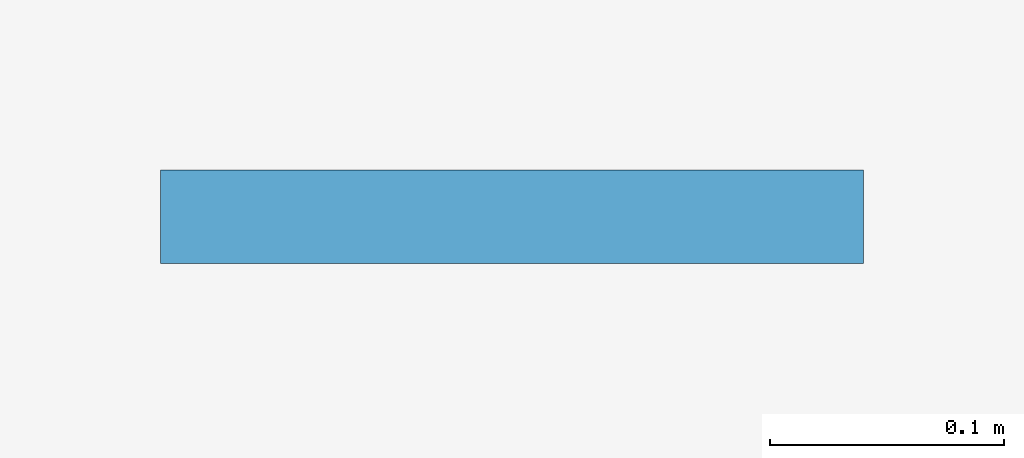
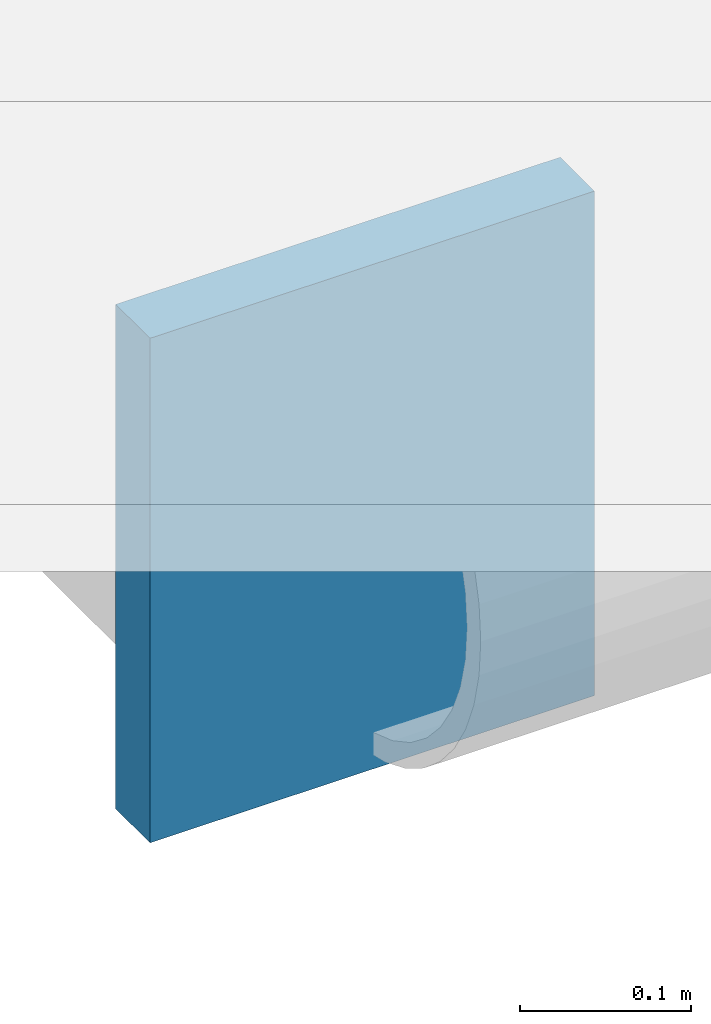
# One storey, part 19 of 28: 1 plate.
"""IFC4 building model written with IfcOpenShell, lengths in metres."""

from ifc_helpers import new_model, si_unit, direction, frame, origin, origin_2d, place, context, subcontext, project, spatial, rectangle, extrude, material, layer, layer_set, type_object, element, save


model = new_model("IFC4")

# Units and contexts
model_context = context("Model", 3, precision=1e-05, world=origin(), true_north=direction((0.0, 1.0)))
body_context = subcontext(model_context, "Body", "Model", "MODEL_VIEW")
ifc_project = project(units=[si_unit("LENGTHUNIT", "METRE"), si_unit("AREAUNIT", "SQUARE_METRE"), si_unit("VOLUMEUNIT", "CUBIC_METRE"), si_unit("PLANEANGLEUNIT", "RADIAN"), si_unit("MASSUNIT", "GRAM", prefix="KILO"), si_unit("THERMODYNAMICTEMPERATUREUNIT", "KELVIN"), si_unit("POWERUNIT", "WATT")], contexts=[model_context])

# Site, building, storey
site_placement = place(None, origin())
site = spatial("IfcSite", under=ifc_project, at=site_placement, CompositionType="ELEMENT")
building_placement = place(site_placement, origin())
building = spatial("IfcBuilding", under=site, at=building_placement, Name="Svarakhadi Broadcast Tower", CompositionType="ELEMENT")
storey_placement = place(building_placement, frame((0.0, 0.0, 103.35009765625)))
storey = spatial("IfcBuildingStorey", under=building, at=storey_placement, Name="L24", CompositionType="ELEMENT", Elevation=103.35009765625)

# Plate
ifc_material = material(Name="Steel S460ML (IS 2062 E450BR)", Category="steel")
ifc_layer = layer(ifc_material, 0.028076171875)
ifc_layer_set = layer_set([ifc_layer], Name="Steel S460ML (IS 2062 E450BR)")
plate_type = type_object("IfcPlateType", Name="Cap_Plate_CP02", PredefinedType="USERDEFINED", material=ifc_layer_set)
plate_placement = place(storey_placement, frame((-1.800048828125, 29.135009765625, -0.55517578125), z_axis=(0.0, 0.0, 1.0), x_axis=(1.0, 0.0, 0.0)))
element("IfcPlate", 1, at=plate_placement, inside=storey, type_object=plate_type, Name="L24 Balcony Spandrel End Cap Plate 2F-A", ObjectType="FLANGE_PLATE", PredefinedType="USERDEFINED", context=body_context, shape_type="SweptSolid", body=[
    extrude(rectangle(XDim=0.300048828125, YDim=0.0400390625, at=origin_2d()), origin(), (0.0, 0.0, 1.0), 0.360107421875),
])

save(model, "model.ifc")
